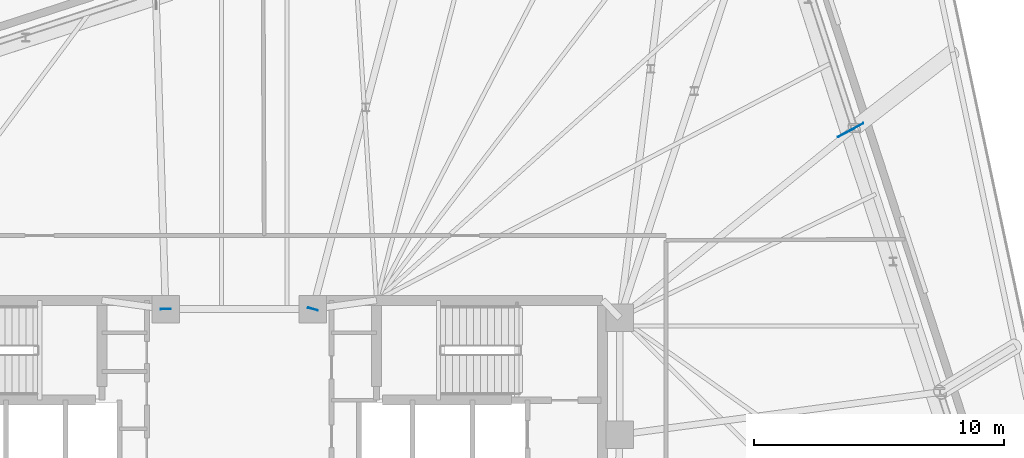
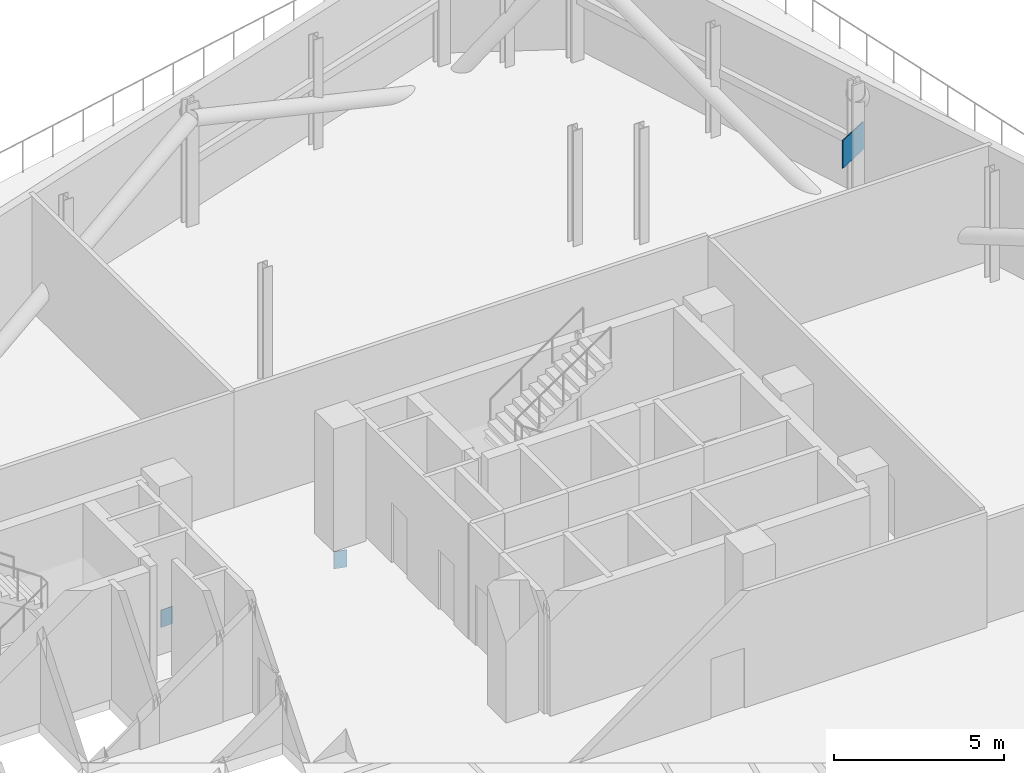
# One storey, part 12 of 16: 3 plates.
"""IFC4 building model written with IfcOpenShell, lengths in metres."""

from ifc_helpers import new_model, si_unit, direction, frame, origin, origin_2d, place, context, subcontext, project, spatial, rectangle, extrude, material, layer, layer_set, type_object, element, save


model = new_model("IFC4")

# Units and contexts
model_context = context("Model", 3, precision=1e-05, world=origin(), true_north=direction((0.0, 1.0)))
body_context = subcontext(model_context, "Body", "Model", "MODEL_VIEW")
ifc_project = project(units=[si_unit("LENGTHUNIT", "METRE"), si_unit("AREAUNIT", "SQUARE_METRE"), si_unit("VOLUMEUNIT", "CUBIC_METRE"), si_unit("PLANEANGLEUNIT", "RADIAN"), si_unit("MASSUNIT", "GRAM", prefix="KILO")], contexts=[model_context])

# Site, building, storey
site_placement = place(None, origin())
site = spatial("IfcSite", under=ifc_project, at=site_placement, CompositionType="ELEMENT")
building_placement = place(site_placement, origin())
building = spatial("IfcBuilding", under=site, at=building_placement, Name="Menara Jurai Vektor", CompositionType="ELEMENT")
storey_placement = place(building_placement, frame((0.0, 0.0, 202.39990234375)))
storey = spatial("IfcBuildingStorey", under=building, at=storey_placement, Name="L53", CompositionType="ELEMENT", Elevation=202.39990234375)

# Plates
ifc_material_1 = material(Name="Steel S355", Category="steel")
ifc_layer_1 = layer(ifc_material_1, 0.02490234375)
ifc_layer_set_1 = layer_set([ifc_layer_1], Name="Steel S355")
plate_type_1 = type_object("IfcPlateType", Name="STR-PLT-CAST25", PredefinedType="SHEET", material=ifc_layer_set_1)
for number, where, z_axis, x_axis, name in (
    (1, (2.949951171875, 5.25, -1.099853515625), (0.0, 0.0, 1.0), (0.96744467351, -0.253082602519, 0.0), "Cast-in End Plate L53-N2"),
    (2, (-2.949951171875, 5.25, -1.099853515625), (0.0, 0.0, 1.0), (0.999517463895, 0.031061863564, 0.0), "Cast-in End Plate L53-N3"),
):
    element("IfcPlate", number, at=place(storey_placement, frame(where, z_axis=z_axis, x_axis=x_axis)), inside=storey, type_object=plate_type_1, Name=name, PredefinedType="SHEET", context=body_context, shape_type="SweptSolid", body=[
        extrude(rectangle(XDim=0.39990234375, YDim=0.02490234375, at=origin_2d()), origin(), (0.0, 0.0, 1.0), 0.6201171875),
    ])
ifc_material_2 = material(Name="Steel S460", Category="steel")
ifc_layer_2 = layer(ifc_material_2, 0.031982421875)
ifc_layer_set_2 = layer_set([ifc_layer_2], Name="Steel S460")
plate_type_2 = type_object("IfcPlateType", Name="STR-PLT-GUSSET32", PredefinedType="SHEET", material=ifc_layer_set_2)
plate_placement = place(storey_placement, frame((24.4921875, 12.416015625, 1.7001953125), z_axis=(0.0, 0.0, 1.0), x_axis=(-0.880063298291, -0.474856389871, 0.0)))
element("IfcPlate", 3, at=plate_placement, inside=storey, type_object=plate_type_2, Name="Transfer Truss Gusset Plate L53-09", PredefinedType="SHEET", context=body_context, shape_type="SweptSolid", body=[
    extrude(rectangle(XDim=1.14990234375, YDim=0.031982421875, at=origin_2d()), origin(), (0.0, 0.0, 1.0), 1.0),
])

save(model, "model.ifc")
